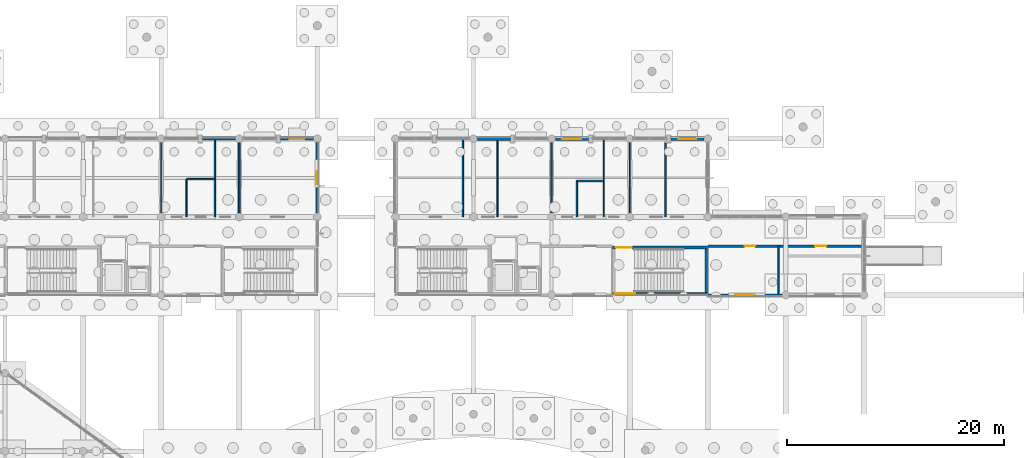
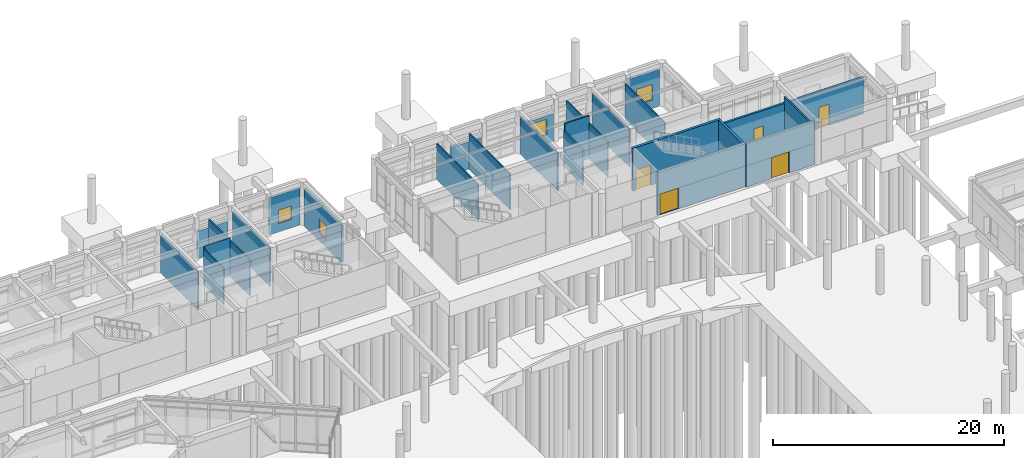
# One storey, part 60 of 103: 25 walls, 5 doors, 4 windows, 9 openings.
"""IFC4 building model written with IfcOpenShell, lengths in metres."""

from ifc_helpers import new_model, si_unit, direction, frame, frame_2d, origin, place, context, subcontext, project, spatial, rectangle, extrude, material, layer, layer_set, type_object, element, fill, save


model = new_model("IFC4")

# Units and contexts
model_context = context("Model", 3, precision=1e-05, world=origin(), true_north=direction((0.0, 1.0)))
body_context = subcontext(model_context, "Body", "Model", "MODEL_VIEW")
ifc_project = project(units=[si_unit("LENGTHUNIT", "METRE"), si_unit("AREAUNIT", "SQUARE_METRE"), si_unit("VOLUMEUNIT", "CUBIC_METRE"), si_unit("PLANEANGLEUNIT", "RADIAN"), si_unit("MASSUNIT", "GRAM", prefix="KILO")], contexts=[model_context])

# Site, building, storey
site_placement = place(None, origin())
site = spatial("IfcSite", under=ifc_project, at=site_placement, CompositionType="ELEMENT")
building_placement = place(site_placement, origin())
building = spatial("IfcBuilding", under=site, at=building_placement, Name="Namkhue Oval Health Centre", CompositionType="ELEMENT")
storey_placement = place(building_placement, origin())
storey = spatial("IfcBuildingStorey", under=building, at=storey_placement, Name="L00", CompositionType="ELEMENT", Elevation=0.0)

# Wall, opening, window
ifc_material_1 = material(Name="Autoclaved aerated concrete blockwork M7.5", Category="masonry")
ifc_layer_1 = layer(ifc_material_1, 0.219970703125)
ifc_layer_set_1 = layer_set([ifc_layer_1], Name="Autoclaved aerated concrete blockwork M7.5")
wall_type_1 = type_object("IfcWallType", Name="EXTERIOR ENVELOPE WALL 220", PredefinedType="STANDARD", material=ifc_layer_set_1)
wall_1_placement = place(storey_placement, frame((86.39990234375, 97.544921875, 0.0), z_axis=(0.0, 0.0, 1.0), x_axis=(0.0, 1.0, 0.0)))
wall_1 = element("IfcWall", 1, at=wall_1_placement, inside=storey, type_object=wall_type_1, Name="Volume V2 L00 Exterior Envelope Wall 21", PredefinedType="STANDARD", context=body_context, shape_type="SweptSolid", body=[
    extrude(rectangle(XDim=6.510009765625, YDim=0.219970703125, at=frame_2d((3.2548828125, 0.0))), origin(), (0.0, 0.0, 1.0), 3.909912109375),
])
opening_1_placement = place(wall_1_placement, frame((2.655029296875, 0.0, 0.89990234375)))
opening_1 = element("IfcOpeningElement", 2, at=opening_1_placement, cuts=wall_1, Name="Opening WN-12", PredefinedType="OPENING", context=body_context, shape_type="SweptSolid", body=[
    extrude(rectangle(XDim=1.199951171875, YDim=1.419921875, at=frame_2d((0.60009765625, 0.7099609375))), frame((0.0, 0.119873046875, 0.0), z_axis=(0.0, -1.0, 0.0), x_axis=(1.0, 0.0, 0.0)), (0.0, 0.0, 1.0), 0.239990234375),
])
ifc_material_2 = material(Name="Thermally broken low-E laminated double glazing", Category="glass")
window_type_1 = type_object("IfcWindowType", Name="EXTERIOR WINDOW 1200X1420", PartitioningType="SINGLE_PANEL", PredefinedType="WINDOW", material=ifc_material_2)
window_1_placement = place(opening_1_placement, origin())
window_1 = element("IfcWindow", 3, at=window_1_placement, inside=storey, type_object=window_type_1, Name="Volume V2 L00 Exterior Window 12", OverallHeight=1.419921875, OverallWidth=1.199951171875, PartitioningType="SINGLE_PANEL", PredefinedType="WINDOW", context=body_context, shape_type="SweptSolid", body=[
    extrude(rectangle(XDim=1.199951171875, YDim=1.419921875, at=frame_2d((0.60009765625, 0.7099609375))), frame((0.0, 0.030029296875, 0.0), z_axis=(0.0, -1.0, 0.0), x_axis=(1.0, 0.0, 0.0)), (0.0, 0.0, 1.0), 0.06005859375),
])
fill(opening_1, window_1)

ifc_layer_2 = layer(ifc_material_1, 0.22998046875)
ifc_layer_set_2 = layer_set([ifc_layer_2], Name="Autoclaved aerated concrete blockwork M7.5")
wall_type_2 = type_object("IfcWallType", Name="EXTERIOR ENVELOPE WALL 230", PredefinedType="STANDARD", material=ifc_layer_set_2)
wall_2_placement = place(storey_placement, frame((86.054931640625, 104.39990234375, 0.0), z_axis=(0.0, 0.0, 1.0), x_axis=(-1.0, 0.0, 0.0)))
wall_2 = element("IfcWall", 4, at=wall_2_placement, inside=storey, type_object=wall_type_2, Name="Volume V2 L00 Exterior Envelope Wall 22", PredefinedType="STANDARD", context=body_context, shape_type="SweptSolid", body=[
    extrude(rectangle(XDim=3.058837890625, YDim=0.22998046875, at=frame_2d((1.529296875, 0.0))), origin(), (0.0, 0.0, 1.0), 3.909912109375),
])
opening_2_placement = place(wall_2_placement, frame((0.87939453125, 0.0, 0.89990234375)))
opening_2 = element("IfcOpeningElement", 5, at=opening_2_placement, cuts=wall_2, Name="Opening WN-13", PredefinedType="OPENING", context=body_context, shape_type="SweptSolid", body=[
    extrude(rectangle(XDim=1.300048828125, YDim=1.419921875, at=frame_2d((0.64990234375, 0.7099609375))), frame((0.0, 0.125, 0.0), z_axis=(0.0, -1.0, 0.0), x_axis=(1.0, 0.0, 0.0)), (0.0, 0.0, 1.0), 0.25),
])
window_type_2 = type_object("IfcWindowType", Name="EXTERIOR WINDOW 1300X1420", PartitioningType="SINGLE_PANEL", PredefinedType="WINDOW", material=ifc_material_2)
window_2_placement = place(opening_2_placement, origin())
window_2 = element("IfcWindow", 6, at=window_2_placement, inside=storey, type_object=window_type_2, Name="Volume V2 L00 Exterior Window 13", OverallHeight=1.419921875, OverallWidth=1.300048828125, PartitioningType="SINGLE_PANEL", PredefinedType="WINDOW", context=body_context, shape_type="SweptSolid", body=[
    extrude(rectangle(XDim=1.300048828125, YDim=1.419921875, at=frame_2d((0.64990234375, 0.7099609375))), frame((0.0, 0.030029296875, 0.0), z_axis=(0.0, -1.0, 0.0), x_axis=(1.0, 0.0, 0.0)), (0.0, 0.0, 1.0), 0.06005859375),
])
fill(opening_2, window_2)

# Wall, opening, door
wall_3_placement = place(storey_placement, frame((122.402099609375, 90.0, 0.0), z_axis=(0.0, 0.0, 1.0), x_axis=(1.0, 0.0, 0.0)))
wall_3 = element("IfcWall", 7, at=wall_3_placement, inside=storey, type_object=wall_type_2, Name="Volume V3 L00 Exterior Envelope Wall 54", PredefinedType="STANDARD", context=body_context, shape_type="SweptSolid", body=[
    extrude(rectangle(XDim=6.852783203125, YDim=0.22998046875, at=frame_2d((3.42626953125, 0.0))), origin(), (0.0, 0.0, 1.0), 4.534912109375),
])
opening_3_placement = place(wall_3_placement, frame((2.526611328125, 0.0, 0.0)))
opening_3 = element("IfcOpeningElement", 8, at=opening_3_placement, cuts=wall_3, Name="Opening ED-02", PredefinedType="OPENING", context=body_context, shape_type="SweptSolid", body=[
    extrude(rectangle(XDim=1.800048828125, YDim=2.25, at=frame_2d((0.89990234375, 1.125))), frame((0.0, 0.125, 0.0), z_axis=(0.0, -1.0, 0.0), x_axis=(1.0, 0.0, 0.0)), (0.0, 0.0, 1.0), 0.25),
])
ifc_material_3 = material(Name="Anodised aluminium glazed entrance door", Category="aluminium")
door_type_1 = type_object("IfcDoorType", Name="ENTRANCE DOOR 1800X2250", OperationType="DOUBLE_DOOR_SINGLE_SWING", PredefinedType="DOOR", material=ifc_material_3)
door_1_placement = place(opening_3_placement, frame((1.800048828125, 0.0, 0.0), z_axis=(0.0, 0.0, 1.0), x_axis=(-1.0, 0.0, 0.0)))
door_1 = element("IfcDoor", 9, at=door_1_placement, inside=storey, type_object=door_type_1, Name="Volume V3 Main Pedestrian Entrance Exit Door 8", OperationType="DOUBLE_DOOR_SINGLE_SWING", OverallHeight=2.25, OverallWidth=1.800048828125, PredefinedType="DOOR", context=body_context, shape_type="SweptSolid", body=[
    extrude(rectangle(XDim=1.800048828125, YDim=2.25, at=frame_2d((0.89990234375, 1.125))), frame((0.0, 0.02490234375, 0.0), z_axis=(0.0, -1.0, 0.0), x_axis=(1.0, 0.0, 0.0)), (0.0, 0.0, 1.0), 0.050048828125),
])
fill(opening_3, door_1)

# Wall
ifc_layer_3 = layer(ifc_material_1, 0.239990234375)
ifc_layer_set_3 = layer_set([ifc_layer_3], Name="Autoclaved aerated concrete blockwork M7.5")
wall_type_3 = type_object("IfcWallType", Name="EXTERIOR ENVELOPE WALL 240", PredefinedType="STANDARD", material=ifc_layer_set_3)
wall_4_placement = place(storey_placement, frame((78.85498046875, 104.39990234375, 0.0), z_axis=(0.0, 0.0, 1.0), x_axis=(-1.0, 0.0, 0.0)))
element("IfcWall", 10, at=wall_4_placement, inside=storey, type_object=wall_type_3, Name="Volume V2 L00 Exterior Envelope Wall 23", PredefinedType="STANDARD", context=body_context, shape_type="SweptSolid", body=[
    extrude(rectangle(XDim=3.05908203125, YDim=0.239990234375, at=frame_2d((1.529541015625, 0.0))), origin(), (0.0, 0.0, 1.0), 2.89990234375),
])

# Wall, opening, window
ifc_layer_4 = layer(ifc_material_1, 0.260009765625)
ifc_layer_set_4 = layer_set([ifc_layer_4], Name="Autoclaved aerated concrete blockwork M7.5")
wall_type_4 = type_object("IfcWallType", Name="EXTERIOR ENVELOPE WALL 260", PredefinedType="STANDARD", material=ifc_layer_set_4)
wall_5_placement = place(storey_placement, frame((122.054931640625, 104.39990234375, 0.0), z_axis=(0.0, 0.0, 1.0), x_axis=(-1.0, 0.0, 0.0)))
wall_5 = element("IfcWall", 11, at=wall_5_placement, inside=storey, type_object=wall_type_4, Name="Volume V3 L00 Exterior Envelope Wall 57", PredefinedType="STANDARD", context=body_context, shape_type="SweptSolid", body=[
    extrude(rectangle(XDim=3.058837890625, YDim=0.260009765625, at=frame_2d((1.529296875, 0.0))), origin(), (0.0, 0.0, 1.0), 3.885009765625),
])
opening_4_placement = place(wall_5_placement, frame((0.7294921875, 0.0, 0.89990234375)))
opening_4 = element("IfcOpeningElement", 12, at=opening_4_placement, cuts=wall_5, Name="Opening WN-35", PredefinedType="OPENING", context=body_context, shape_type="SweptSolid", body=[
    extrude(rectangle(XDim=1.60009765625, YDim=1.659912109375, at=frame_2d((0.800048828125, 0.830078125))), frame((0.0, 0.139892578125, 0.0), z_axis=(0.0, -1.0, 0.0), x_axis=(1.0, 0.0, 0.0)), (0.0, 0.0, 1.0), 0.280029296875),
])
window_type_3 = type_object("IfcWindowType", Name="EXTERIOR WINDOW 1600X1660", PartitioningType="SINGLE_PANEL", PredefinedType="WINDOW", material=ifc_material_2)
window_3_placement = place(opening_4_placement, origin())
window_3 = element("IfcWindow", 13, at=window_3_placement, inside=storey, type_object=window_type_3, Name="Volume V3 L00 Exterior Window 35", OverallHeight=1.659912109375, OverallWidth=1.60009765625, PartitioningType="SINGLE_PANEL", PredefinedType="WINDOW", context=body_context, shape_type="SweptSolid", body=[
    extrude(rectangle(XDim=1.60009765625, YDim=1.659912109375, at=frame_2d((0.800048828125, 0.830078125))), frame((0.0, 0.030029296875, 0.0), z_axis=(0.0, -1.0, 0.0), x_axis=(1.0, 0.0, 0.0)), (0.0, 0.0, 1.0), 0.06005859375),
])
fill(opening_4, window_3)

ifc_layer_5 = layer(ifc_material_1, 0.27001953125)
ifc_layer_set_5 = layer_set([ifc_layer_5], Name="Autoclaved aerated concrete blockwork M7.5")
wall_type_5 = type_object("IfcWallType", Name="EXTERIOR ENVELOPE WALL 270", PredefinedType="STANDARD", material=ifc_layer_set_5)
wall_6_placement = place(storey_placement, frame((111.404052734375, 104.39990234375, 0.0), z_axis=(0.0, 0.0, 1.0), x_axis=(-1.0, 0.0, 0.0)))
wall_6 = element("IfcWall", 14, at=wall_6_placement, inside=storey, type_object=wall_type_5, Name="Volume V3 L00 Exterior Envelope Wall 58", PredefinedType="STANDARD", context=body_context, shape_type="SweptSolid", body=[
    extrude(rectangle(XDim=3.05908203125, YDim=0.27001953125, at=frame_2d((1.529541015625, 0.0))), origin(), (0.0, 0.0, 1.0), 2.89990234375),
])
opening_5_placement = place(wall_6_placement, frame((0.654541015625, 0.0, 0.89990234375)))
opening_5 = element("IfcOpeningElement", 15, at=opening_5_placement, cuts=wall_6, Name="Opening WN-36", PredefinedType="OPENING", context=body_context, shape_type="SweptSolid", body=[
    extrude(rectangle(XDim=1.75, YDim=1.659912109375, at=frame_2d((0.875, 0.830078125))), frame((0.0, 0.14501953125, 0.0), z_axis=(0.0, -1.0, 0.0), x_axis=(1.0, 0.0, 0.0)), (0.0, 0.0, 1.0), 0.2900390625),
])
window_type_4 = type_object("IfcWindowType", Name="EXTERIOR WINDOW 1750X1660", PartitioningType="SINGLE_PANEL", PredefinedType="WINDOW", material=ifc_material_2)
window_4_placement = place(opening_5_placement, origin())
window_4 = element("IfcWindow", 16, at=window_4_placement, inside=storey, type_object=window_type_4, Name="Volume V3 L00 Exterior Window 36", OverallHeight=1.659912109375, OverallWidth=1.75, PartitioningType="SINGLE_PANEL", PredefinedType="WINDOW", context=body_context, shape_type="SweptSolid", body=[
    extrude(rectangle(XDim=1.75, YDim=1.659912109375, at=frame_2d((0.875, 0.830078125))), frame((0.0, 0.030029296875, 0.0), z_axis=(0.0, -1.0, 0.0), x_axis=(1.0, 0.0, 0.0)), (0.0, 0.0, 1.0), 0.06005859375),
])
fill(opening_5, window_4)

# Wall
ifc_layer_6 = layer(ifc_material_1, 0.280029296875)
ifc_layer_set_6 = layer_set([ifc_layer_6], Name="Autoclaved aerated concrete blockwork M7.5")
wall_type_6 = type_object("IfcWallType", Name="EXTERIOR ENVELOPE WALL 280", PredefinedType="STANDARD", material=ifc_layer_set_6)
wall_7_placement = place(storey_placement, frame((104.2041015625, 104.39990234375, 0.0), z_axis=(0.0, 0.0, 1.0), x_axis=(-1.0, 0.0, 0.0)))
element("IfcWall", 17, at=wall_7_placement, inside=storey, type_object=wall_type_6, Name="Volume V3 L00 Exterior Envelope Wall 59", PredefinedType="STANDARD", context=body_context, shape_type="SweptSolid", body=[
    extrude(rectangle(XDim=3.05908203125, YDim=0.280029296875, at=frame_2d((1.529541015625, 0.0))), origin(), (0.0, 0.0, 1.0), 2.89990234375),
])

# Wall, openings, doors
ifc_material_4 = material(Name="Gypsum plasterboard acoustic partition", Category="gypsum")
ifc_layer_7 = layer(ifc_material_4, 0.215087890625)
ifc_layer_set_7 = layer_set([ifc_layer_7], Name="Gypsum plasterboard acoustic partition")
wall_type_7 = type_object("IfcWallType", Name="FIRE PARTITION WALL 215", PredefinedType="PARTITIONING", material=ifc_layer_set_7)
wall_8_placement = place(storey_placement, frame((122.419921875, 94.5, 0.0), z_axis=(0.0, 0.0, 1.0), x_axis=(1.0, 0.0, 0.0)))
wall_8 = element("IfcWall", 18, at=wall_8_placement, inside=storey, type_object=wall_type_7, Name="Volume V3 L00 Clinical Partition Wall 110", PredefinedType="PARTITIONING", context=body_context, shape_type="SweptSolid", body=[
    extrude(rectangle(XDim=14.340087890625, YDim=0.215087890625, at=frame_2d((7.169921875, 0.0))), origin(), (0.0, 0.0, 1.0), 3.885009765625),
])
opening_6_placement = place(wall_8_placement, frame((3.382080078125, 0.0, 0.0)))
opening_6 = element("IfcOpeningElement", 19, at=opening_6_placement, cuts=wall_8, Name="Opening CD-19", PredefinedType="OPENING", context=body_context, shape_type="SweptSolid", body=[
    extrude(rectangle(XDim=0.9599609375, YDim=2.22998046875, at=frame_2d((0.47998046875, 1.114990234375))), frame((0.0, 0.117431640625, 0.0), z_axis=(0.0, -1.0, 0.0), x_axis=(1.0, 0.0, 0.0)), (0.0, 0.0, 1.0), 0.235107421875),
])
opening_7_placement = place(wall_8_placement, frame((9.876953125, 0.0, 0.0)))
opening_7 = element("IfcOpeningElement", 20, at=opening_7_placement, cuts=wall_8, Name="Opening CD-20", PredefinedType="OPENING", context=body_context, shape_type="SweptSolid", body=[
    extrude(rectangle(XDim=1.0400390625, YDim=2.22998046875, at=frame_2d((0.52001953125, 1.114990234375))), frame((0.0, 0.117431640625, 0.0), z_axis=(0.0, -1.0, 0.0), x_axis=(1.0, 0.0, 0.0)), (0.0, 0.0, 1.0), 0.235107421875),
])
ifc_material_5 = material(Name="High-pressure laminate timber clinical door", Category="wood")
door_type_2 = type_object("IfcDoorType", Name="CLINICAL DOOR 1040X2230", OperationType="NOTDEFINED", PredefinedType="DOOR", material=ifc_material_5)
door_2_placement = place(opening_7_placement, frame((1.0400390625, 0.0, 0.0), z_axis=(0.0, 0.0, 1.0), x_axis=(-1.0, 0.0, 0.0)))
door_2 = element("IfcDoor", 21, at=door_2_placement, inside=storey, type_object=door_type_2, Name="Volume V3 L00 Hearing Aid Fitting Clinic Door 92", OperationType="SINGLE_SWING_RIGHT", OverallHeight=2.22998046875, OverallWidth=1.0400390625, PredefinedType="DOOR", context=body_context, shape_type="SweptSolid", body=[
    extrude(rectangle(XDim=1.0400390625, YDim=2.22998046875, at=frame_2d((0.52001953125, 1.114990234375))), frame((0.0, 0.02490234375, 0.0), z_axis=(0.0, -1.0, 0.0), x_axis=(1.0, 0.0, 0.0)), (0.0, 0.0, 1.0), 0.050048828125),
])
fill(opening_7, door_2)
door_type_3 = type_object("IfcDoorType", Name="CLINICAL DOOR 960X2230", OperationType="NOTDEFINED", PredefinedType="DOOR", material=ifc_material_5)
door_3_placement = place(opening_6_placement, frame((0.9599609375, 0.0, 0.0), z_axis=(0.0, 0.0, 1.0), x_axis=(-1.0, 0.0, 0.0)))
door_3 = element("IfcDoor", 22, at=door_3_placement, inside=storey, type_object=door_type_3, Name="Volume V3 L00 Vascular Doppler Diagnostics Door 91", OperationType="SINGLE_SWING_LEFT", OverallHeight=2.22998046875, OverallWidth=0.9599609375, PredefinedType="DOOR", context=body_context, shape_type="SweptSolid", body=[
    extrude(rectangle(XDim=0.9599609375, YDim=2.22998046875, at=frame_2d((0.47998046875, 1.114990234375))), frame((0.0, 0.02490234375, 0.0), z_axis=(0.0, -1.0, 0.0), x_axis=(1.0, 0.0, 0.0)), (0.0, 0.0, 1.0), 0.050048828125),
])
fill(opening_6, door_3)

# Walls
ifc_layer_8 = layer(ifc_material_4, 0.10009765625)
ifc_layer_set_8 = layer_set([ifc_layer_8], Name="Gypsum plasterboard acoustic partition")
wall_type_8 = type_object("IfcWallType", Name="INTERIOR PARTITION WALL 100", PredefinedType="PARTITIONING", material=ifc_layer_set_8)
wall_9_placement = place(storey_placement, frame((112.800048828125, 97.199951171875, 0.0), z_axis=(0.0, 0.0, 1.0), x_axis=(0.0, 1.0, 0.0)))
element("IfcWall", 23, at=wall_9_placement, inside=storey, type_object=wall_type_8, Name="Volume V3 L00 Clinical Partition Wall 106", PredefinedType="PARTITIONING", context=body_context, shape_type="SweptSolid", body=[
    extrude(rectangle(XDim=7.16015625, YDim=0.10009765625, at=frame_2d((3.580078125, 0.0))), origin(), (0.0, 0.0, 1.0), 3.784912109375),
])
ifc_layer_9 = layer(ifc_material_4, 0.110107421875)
ifc_layer_set_9 = layer_set([ifc_layer_9], Name="Gypsum plasterboard acoustic partition")
wall_type_9 = type_object("IfcWallType", Name="INTERIOR PARTITION WALL 110", PredefinedType="PARTITIONING", material=ifc_layer_set_9)
wall_10_placement = place(storey_placement, frame((72.0, 97.550048828125, 0.0), z_axis=(0.0, 0.0, 1.0), x_axis=(0.0, 1.0, 0.0)))
element("IfcWall", 24, at=wall_10_placement, inside=storey, type_object=wall_type_9, Name="Volume V2 L00 Clinical Partition Wall 37", PredefinedType="PARTITIONING", context=body_context, shape_type="SweptSolid", body=[
    extrude(rectangle(XDim=6.5, YDim=0.110107421875, at=frame_2d((3.25, 0.0))), origin(), (0.0, 0.0, 1.0), 4.010009765625),
])
wall_11_placement = place(storey_placement, frame((115.199951171875, 97.550048828125, 0.0), z_axis=(0.0, 0.0, 1.0), x_axis=(0.0, 1.0, 0.0)))
element("IfcWall", 25, at=wall_11_placement, inside=storey, type_object=wall_type_9, Name="Volume V3 L00 Clinical Partition Wall 107", PredefinedType="PARTITIONING", context=body_context, shape_type="SweptSolid", body=[
    extrude(rectangle(XDim=6.5, YDim=0.110107421875, at=frame_2d((3.25, 0.0))), origin(), (0.0, 0.0, 1.0), 3.985107421875),
])
ifc_layer_10 = layer(ifc_material_4, 0.1201171875)
ifc_layer_set_10 = layer_set([ifc_layer_10], Name="Gypsum plasterboard acoustic partition")
wall_type_10 = type_object("IfcWallType", Name="INTERIOR PARTITION WALL 120", PredefinedType="PARTITIONING", material=ifc_layer_set_10)
wall_12_placement = place(storey_placement, frame((74.340087890625, 97.199951171875, 0.0), z_axis=(0.0, 0.0, 1.0), x_axis=(0.0, 1.0, 0.0)))
element("IfcWall", 26, at=wall_12_placement, inside=storey, type_object=wall_type_10, Name="Volume V2 L00 Clinical Partition Wall 38", PredefinedType="PARTITIONING", context=body_context, shape_type="SweptSolid", body=[
    extrude(rectangle(XDim=3.47998046875, YDim=0.1201171875, at=frame_2d((1.739990234375, 0.0))), origin(), (0.0, 0.0, 1.0), 3.81005859375),
])
wall_13_placement = place(storey_placement, frame((99.823974609375, 97.199951171875, 0.0), z_axis=(0.0, 0.0, 1.0), x_axis=(0.0, 1.0, 0.0)))
element("IfcWall", 27, at=wall_13_placement, inside=storey, type_object=wall_type_10, Name="Volume V3 L00 Clinical Partition Wall 101", PredefinedType="PARTITIONING", context=body_context, shape_type="SweptSolid", body=[
    extrude(rectangle(XDim=7.16015625, YDim=0.1201171875, at=frame_2d((3.580078125, 0.0))), origin(), (0.0, 0.0, 1.0), 3.784912109375),
])
wall_14_placement = place(storey_placement, frame((118.4970703125, 97.199951171875, 0.0), z_axis=(0.0, 0.0, 1.0), x_axis=(0.0, 1.0, 0.0)))
element("IfcWall", 28, at=wall_14_placement, inside=storey, type_object=wall_type_10, Name="Volume V3 L00 Clinical Partition Wall 108", PredefinedType="PARTITIONING", context=body_context, shape_type="SweptSolid", body=[
    extrude(rectangle(XDim=6.796875, YDim=0.1201171875, at=frame_2d((3.3984375, 0.0))), origin(), (0.0, 0.0, 1.0), 3.784912109375),
])
ifc_layer_11 = layer(ifc_material_4, 0.1298828125)
ifc_layer_set_11 = layer_set([ifc_layer_11], Name="Gypsum plasterboard acoustic partition")
wall_type_11 = type_object("IfcWallType", Name="INTERIOR PARTITION WALL 130", PredefinedType="PARTITIONING", material=ifc_layer_set_11)
wall_15_placement = place(storey_placement, frame((74.340087890625, 100.679931640625, 0.0), z_axis=(0.0, 0.0, 1.0), x_axis=(1.0, 0.0, 0.0)))
element("IfcWall", 29, at=wall_15_placement, inside=storey, type_object=wall_type_11, Name="Volume V2 L00 Clinical Partition Wall 39", PredefinedType="PARTITIONING", context=body_context, shape_type="SweptSolid", body=[
    extrude(rectangle(XDim=2.619873046875, YDim=0.1298828125, at=frame_2d((1.31005859375, 0.0))), origin(), (0.0, 0.0, 1.0), 4.06005859375),
])
wall_16_placement = place(storey_placement, frame((103.01904296875, 97.199951171875, 0.0), z_axis=(0.0, 0.0, 1.0), x_axis=(0.0, 1.0, 0.0)))
element("IfcWall", 30, at=wall_16_placement, inside=storey, type_object=wall_type_11, Name="Volume V3 L00 Clinical Partition Wall 102", PredefinedType="PARTITIONING", context=body_context, shape_type="SweptSolid", body=[
    extrude(rectangle(XDim=7.0380859375, YDim=0.1298828125, at=frame_2d((3.51904296875, 0.0))), origin(), (0.0, 0.0, 1.0), 3.784912109375),
])
ifc_layer_12 = layer(ifc_material_4, 0.139892578125)
ifc_layer_set_12 = layer_set([ifc_layer_12], Name="Gypsum plasterboard acoustic partition")
wall_type_12 = type_object("IfcWallType", Name="INTERIOR PARTITION WALL 140", PredefinedType="PARTITIONING", material=ifc_layer_set_12)
wall_17_placement = place(storey_placement, frame((76.9599609375, 97.199951171875, 0.0), z_axis=(0.0, 0.0, 1.0), x_axis=(0.0, 1.0, 0.0)))
element("IfcWall", 31, at=wall_17_placement, inside=storey, type_object=wall_type_12, Name="Volume V2 L00 Clinical Partition Wall 40", PredefinedType="PARTITIONING", context=body_context, shape_type="SweptSolid", body=[
    extrude(rectangle(XDim=7.05810546875, YDim=0.139892578125, at=frame_2d((3.529052734375, 0.0))), origin(), (0.0, 0.0, 1.0), 3.81005859375),
])
wall_18_placement = place(storey_placement, frame((108.0, 97.550048828125, 0.0), z_axis=(0.0, 0.0, 1.0), x_axis=(0.0, 1.0, 0.0)))
element("IfcWall", 32, at=wall_18_placement, inside=storey, type_object=wall_type_12, Name="Volume V3 L00 Clinical Partition Wall 103", PredefinedType="PARTITIONING", context=body_context, shape_type="SweptSolid", body=[
    extrude(rectangle(XDim=6.5, YDim=0.139892578125, at=frame_2d((3.25, 0.0))), origin(), (0.0, 0.0, 1.0), 3.985107421875),
])
ifc_layer_13 = layer(ifc_material_4, 0.14990234375)
ifc_layer_set_13 = layer_set([ifc_layer_13], Name="Gypsum plasterboard acoustic partition")
wall_type_13 = type_object("IfcWallType", Name="INTERIOR PARTITION WALL 150", PredefinedType="PARTITIONING", material=ifc_layer_set_13)
wall_19_placement = place(storey_placement, frame((79.199951171875, 97.550048828125, 0.0), z_axis=(0.0, 0.0, 1.0), x_axis=(0.0, 1.0, 0.0)))
element("IfcWall", 33, at=wall_19_placement, inside=storey, type_object=wall_type_13, Name="Volume V2 L00 Clinical Partition Wall 41", PredefinedType="PARTITIONING", context=body_context, shape_type="SweptSolid", body=[
    extrude(rectangle(XDim=6.5, YDim=0.14990234375, at=frame_2d((3.25, 0.0))), origin(), (0.0, 0.0, 1.0), 4.010009765625),
])
wall_20_placement = place(storey_placement, frame((110.340087890625, 97.199951171875, 0.0), z_axis=(0.0, 0.0, 1.0), x_axis=(0.0, 1.0, 0.0)))
element("IfcWall", 34, at=wall_20_placement, inside=storey, type_object=wall_type_13, Name="Volume V3 L00 Clinical Partition Wall 104", PredefinedType="PARTITIONING", context=body_context, shape_type="SweptSolid", body=[
    extrude(rectangle(XDim=3.320068359375, YDim=0.14990234375, at=frame_2d((1.66015625, 0.0))), origin(), (0.0, 0.0, 1.0), 3.784912109375),
])
wall_21_placement = place(storey_placement, frame((128.919921875, 90.136962890625, 0.0), z_axis=(0.0, 0.0, 1.0), x_axis=(0.0, 1.0, 0.0)))
element("IfcWall", 35, at=wall_21_placement, inside=storey, type_object=wall_type_13, Name="Volume V3 L00 Clinical Partition Wall 111", PredefinedType="PARTITIONING", context=body_context, shape_type="SweptSolid", body=[
    extrude(rectangle(XDim=4.363037109375, YDim=0.14990234375, at=frame_2d((2.181640625, 0.0))), origin(), (0.0, 0.0, 1.0), 4.534912109375),
])
ifc_layer_14 = layer(ifc_material_4, 0.159912109375)
ifc_layer_set_14 = layer_set([ifc_layer_14], Name="Gypsum plasterboard acoustic partition")
wall_type_14 = type_object("IfcWallType", Name="INTERIOR PARTITION WALL 160", PredefinedType="PARTITIONING", material=ifc_layer_set_14)
wall_22_placement = place(storey_placement, frame((110.340087890625, 100.52001953125, 0.0), z_axis=(0.0, 0.0, 1.0), x_axis=(1.0, 0.0, 0.0)))
element("IfcWall", 36, at=wall_22_placement, inside=storey, type_object=wall_type_14, Name="Volume V3 L00 Clinical Partition Wall 105", PredefinedType="PARTITIONING", context=body_context, shape_type="SweptSolid", body=[
    extrude(rectangle(XDim=2.4599609375, YDim=0.159912109375, at=frame_2d((1.22998046875, 0.0))), origin(), (0.0, 0.0, 1.0), 4.534912109375),
])

# Wall, opening, door
ifc_material_6 = material(Name="Reinforced concrete C35/45 (TCVN B40)", Category="concrete")
ifc_layer_15 = layer(ifc_material_6, 0.25)
ifc_layer_set_15 = layer_set([ifc_layer_15], Name="Reinforced concrete C35/45 (TCVN B40)")
wall_type_15 = type_object("IfcWallType", Name="SHEAR CORE WALL EXT 250", PredefinedType="SHEAR", material=ifc_layer_set_15)
wall_23_placement = place(storey_placement, frame((113.60009765625, 90.125, 0.0), z_axis=(0.0, 0.0, 1.0), x_axis=(1.0, 0.0, 0.0)))
wall_23 = element("IfcWall", 37, at=wall_23_placement, inside=storey, type_object=wall_type_15, Name="Core SC-06 L00 Shear Wall S", PredefinedType="SHEAR", context=body_context, shape_type="SweptSolid", body=[
    extrude(rectangle(XDim=8.7998046875, YDim=0.25, at=frame_2d((4.39990234375, 0.0))), origin(), (0.0, 0.0, 1.0), 4.534912109375),
])
opening_8_placement = place(wall_23_placement, frame((0.25, 0.0, 0.0)))
opening_8 = element("IfcOpeningElement", 38, at=opening_8_placement, cuts=wall_23, Name="Opening SD-E1", PredefinedType="OPENING", context=body_context, shape_type="SweptSolid", body=[
    extrude(rectangle(XDim=1.85009765625, YDim=2.199951171875, at=frame_2d((0.925048828125, 1.10009765625))), frame((0.0, 0.135009765625, 0.0), z_axis=(0.0, -1.0, 0.0), x_axis=(1.0, 0.0, 0.0)), (0.0, 0.0, 1.0), 0.27001953125),
])
ifc_material_7 = material(Name="Powder-coated steel fire door assembly", Category="steel")
door_type_4 = type_object("IfcDoorType", Name="ENTRANCE DOOR STAIR EXIT 1850X2200", OperationType="DOUBLE_DOOR_SINGLE_SWING", PredefinedType="DOOR", material=ifc_material_7)
door_4_placement = place(opening_8_placement, frame((1.85009765625, 0.0, 0.0), z_axis=(0.0, 0.0, 1.0), x_axis=(-1.0, 0.0, 0.0)))
door_4 = element("IfcDoor", 39, at=door_4_placement, inside=storey, type_object=door_type_4, Name="Stair ST-06 Ground Final Exit Discharge Door", OperationType="DOUBLE_DOOR_SINGLE_SWING", OverallHeight=2.199951171875, OverallWidth=1.85009765625, PredefinedType="DOOR", context=body_context, shape_type="SweptSolid", body=[
    extrude(rectangle(XDim=1.85009765625, YDim=2.199951171875, at=frame_2d((0.925048828125, 1.10009765625))), frame((0.0, 0.02490234375, 0.0), z_axis=(0.0, -1.0, 0.0), x_axis=(1.0, 0.0, 0.0)), (0.0, 0.0, 1.0), 0.050048828125),
])
fill(opening_8, door_4)

# Wall
ifc_layer_16 = layer(ifc_material_6, 0.25)
ifc_layer_set_16 = layer_set([ifc_layer_16], Name="Reinforced concrete C35/45 (TCVN B40)")
wall_type_16 = type_object("IfcWallType", Name="SHEAR CORE WALL INT 250", PredefinedType="SHEAR", material=ifc_layer_set_16)
wall_24_placement = place(storey_placement, frame((122.27490234375, 90.25, 0.0), z_axis=(0.0, 0.0, 1.0), x_axis=(0.0, 1.0, 0.0)))
element("IfcWall", 40, at=wall_24_placement, inside=storey, type_object=wall_type_16, Name="Core SC-06 L00 Shear Wall E", PredefinedType="SHEAR", context=body_context, shape_type="SweptSolid", body=[
    extrude(rectangle(XDim=4.0, YDim=0.25, at=frame_2d((2.0, 0.0))), origin(), (0.0, 0.0, 1.0), 4.534912109375),
])

# Wall, opening, door
wall_25_placement = place(storey_placement, frame((122.39990234375, 94.375, 0.0), z_axis=(0.0, 0.0, 1.0), x_axis=(-1.0, 0.0, 0.0)))
wall_25 = element("IfcWall", 41, at=wall_25_placement, inside=storey, type_object=wall_type_16, Name="Core SC-06 L00 Shear Wall N", PredefinedType="SHEAR", context=body_context, shape_type="SweptSolid", body=[
    extrude(rectangle(XDim=8.7998046875, YDim=0.25, at=frame_2d((4.39990234375, 0.0))), origin(), (0.0, 0.0, 1.0), 4.534912109375),
])
opening_9_placement = place(wall_25_placement, frame((7.0, 0.0, 0.0)))
opening_9 = element("IfcOpeningElement", 42, at=opening_9_placement, cuts=wall_25, Name="Opening SD-I1", PredefinedType="OPENING", context=body_context, shape_type="SweptSolid", body=[
    extrude(rectangle(XDim=1.5, YDim=2.14990234375, at=frame_2d((0.75, 1.074951171875))), frame((0.0, 0.135009765625, 0.0), z_axis=(0.0, -1.0, 0.0), x_axis=(1.0, 0.0, 0.0)), (0.0, 0.0, 1.0), 0.27001953125),
])
door_type_5 = type_object("IfcDoorType", Name="CLINICAL DOOR STAIR CORE 1500X2150", OperationType="DOUBLE_DOOR_SINGLE_SWING", PredefinedType="DOOR", material=ifc_material_7)
door_5_placement = place(opening_9_placement, origin())
door_5 = element("IfcDoor", 43, at=door_5_placement, inside=storey, type_object=door_type_5, Name="Stair ST-06 L00 Stair Enclosure Fire Door", OperationType="DOUBLE_DOOR_SINGLE_SWING", OverallHeight=2.14990234375, OverallWidth=1.5, PredefinedType="DOOR", context=body_context, shape_type="SweptSolid", body=[
    extrude(rectangle(XDim=1.5, YDim=2.14990234375, at=frame_2d((0.75, 1.074951171875))), frame((0.0, 0.02490234375, 0.0), z_axis=(0.0, -1.0, 0.0), x_axis=(1.0, 0.0, 0.0)), (0.0, 0.0, 1.0), 0.050048828125),
])
fill(opening_9, door_5)

save(model, "model.ifc")
